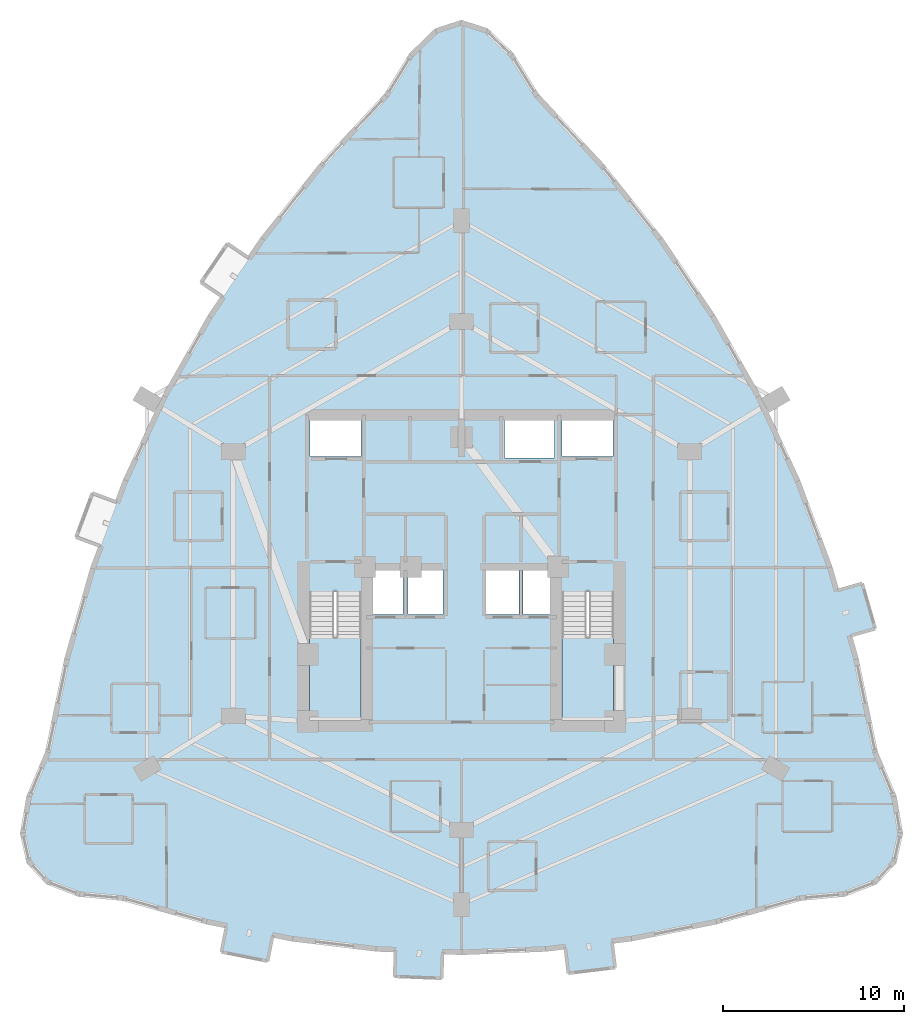
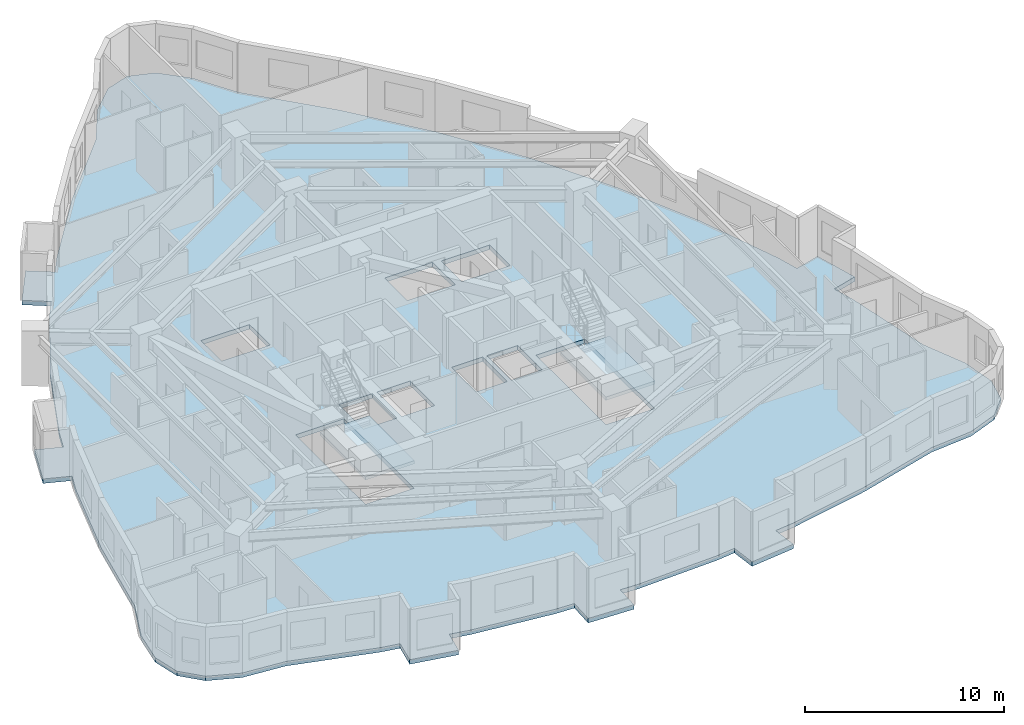
# One storey, part 3 of 13: 3 slabs, 2 elements without a shape of their own.
"""IFC4 building model written with IfcOpenShell, lengths in metres."""

import ifcopenshell
import ifcopenshell.guid

model = None  # the IFC model being written
_history = None  # IfcOwnerHistory: only IFC2X3 demands one
_inside = {}  # id of a spatial element -> (the spatial element, [elements in it])
_under = {}  # id of a project, library or spatial element -> (it, [spatial elements below it])
_declared = {}  # id of a project -> (the project, [libraries it declares])
_typed = {}  # id of a type object -> (the type object, [elements of that type])
_made_of = {}  # id of a material, layer set ... -> (it, [elements and type objects made of it])


def new_model(schema):
    """Start an empty IFC model of exactly this schema.

    Asked for "IFC4X3", IfcOpenShell would pick the latest addendum, in which some entities
    have other attributes; the version numbers below select the first issue.
    IFC2X3 requires an IfcOwnerHistory on every rooted entity: one is made here for all.
    """
    global model, _history
    if schema == "IFC4X3":
        model = ifcopenshell.file(schema_version=(4, 3, 0, 0))
    else:
        model = ifcopenshell.file(schema=schema)
    _inside.clear()
    _under.clear()
    _declared.clear()
    _typed.clear()
    _made_of.clear()
    _history = None
    if model.schema == "IFC2X3":
        org = make("IfcOrganization", Name="unknown")
        user = make(
            "IfcPersonAndOrganization",
            ThePerson=make("IfcPerson", FamilyName="unknown"),
            TheOrganization=org,
        )
        app = make(
            "IfcApplication",
            ApplicationDeveloper=org,
            Version="unknown",
            ApplicationFullName="unknown",
            ApplicationIdentifier="unknown",
        )
        _history = make(
            "IfcOwnerHistory",
            OwningUser=user,
            OwningApplication=app,
            ChangeAction="ADDED",
            CreationDate=0,
        )
    return model


def make(cls, **values):
    """One entity of the class cls with the attributes given. An attribute that is None is left unset."""
    return model.create_entity(
        cls, **{name: value for name, value in values.items() if value is not None}
    )


def rooted(cls, **values):
    """An entity with a GlobalId (a new one), such as an element, a storey or a relation."""
    return make(cls, GlobalId=ifcopenshell.guid.new(), OwnerHistory=_history, **values)


def si_unit(unit_type, name, prefix=None):
    """IfcSIUnit, for example si_unit("LENGTHUNIT", "METRE", prefix="MILLI")."""
    return make("IfcSIUnit", UnitType=unit_type, Prefix=prefix, Name=name)


def assignment(units):
    """IfcUnitAssignment: the units of a project."""
    return None if units is None else make("IfcUnitAssignment", Units=units)


def point(xyz):
    """IfcCartesianPoint."""
    return None if xyz is None else make("IfcCartesianPoint", Coordinates=xyz)


def direction(xyz):
    """IfcDirection."""
    return None if xyz is None else make("IfcDirection", DirectionRatios=xyz)


def frame(location, z_axis=None, x_axis=None):
    """IfcAxis2Placement3D, a coordinate frame: its origin and axes. An axis left out is left unset."""
    return make(
        "IfcAxis2Placement3D",
        Location=point(location),
        Axis=direction(z_axis),
        RefDirection=direction(x_axis),
    )


def origin():
    """The frame at (0, 0, 0) with its axes left unset."""
    return frame((0.0, 0.0, 0.0))


def place(relative_to, where):
    """IfcLocalPlacement: puts the frame where relative to a parent placement (None: the world)."""
    return make(
        "IfcLocalPlacement", PlacementRelTo=relative_to, RelativePlacement=where
    )


def context(
    kind, dimensions, precision=None, world=None, true_north=None, identifier=None
):
    """IfcGeometricRepresentationContext, for example the 3D "Model" context."""
    return make(
        "IfcGeometricRepresentationContext",
        ContextIdentifier=identifier,
        ContextType=kind,
        CoordinateSpaceDimension=dimensions,
        Precision=precision,
        WorldCoordinateSystem=world,
        TrueNorth=true_north,
    )


def subcontext(parent, identifier, kind, view, scale=None):
    """IfcGeometricRepresentationSubContext, for example "Body" below "Model"."""
    return make(
        "IfcGeometricRepresentationSubContext",
        ContextIdentifier=identifier,
        ContextType=kind,
        ParentContext=parent,
        TargetScale=scale,
        TargetView=view,
    )


def project(units=None, contexts=None):
    """IfcProject with its units and contexts."""
    return rooted(
        "IfcProject",
        Name="project",
        RepresentationContexts=contexts,
        UnitsInContext=assignment(units),
    )


def spatial(cls, under=None, at=None, **own):
    """A site, building, storey or space (cls), placed at a placement, below another one or the project."""
    s = rooted(cls, ObjectPlacement=at, **own)
    if under is not None:
        _under.setdefault(under.id(), (under, []))[1].append(s)
    return s


def polyline(points):
    """IfcPolyline through the points."""
    return make("IfcPolyline", Points=[point(p) for p in points])


def outline(outer, holes=None, kind="AREA"):
    """IfcArbitraryClosedProfileDef: a profile drawn as a closed curve; with holes, ...WithVoids."""
    if holes is None:
        return make("IfcArbitraryClosedProfileDef", ProfileType=kind, OuterCurve=outer)
    return make(
        "IfcArbitraryProfileDefWithVoids",
        ProfileType=kind,
        OuterCurve=outer,
        InnerCurves=holes,
    )


def extrude(swept, where, along, depth):
    """IfcExtrudedAreaSolid: the profile swept, set in the frame where, extruded along a direction by depth."""
    return make(
        "IfcExtrudedAreaSolid",
        SweptArea=swept,
        Position=where,
        ExtrudedDirection=direction(along),
        Depth=depth,
    )


def shape(context_of_items, identifier, shape_type, items):
    """IfcShapeRepresentation: the items that make up one representation, for example the "Body"."""
    return make(
        "IfcShapeRepresentation",
        ContextOfItems=context_of_items,
        RepresentationIdentifier=identifier,
        RepresentationType=shape_type,
        Items=items,
    )


def material(Name=None, Category=None):
    """IfcMaterial."""
    return make("IfcMaterial", Name=Name, Category=Category)


def layer(
    of_material, thickness, ventilated=None, Name=None, Category=None, Priority=None
):
    """IfcMaterialLayer: one layer of a wall or slab, of a material (None: an air gap)."""
    return make(
        "IfcMaterialLayer",
        Material=of_material,
        LayerThickness=thickness,
        IsVentilated=ventilated,
        Name=Name,
        Category=Category,
        Priority=Priority,
    )


def layer_set(layers, Name=None):
    """IfcMaterialLayerSet."""
    return make("IfcMaterialLayerSet", MaterialLayers=layers, LayerSetName=Name)


def made_of(thing, what):
    """Note that an element or type object is made of a material, layer set ...; save() writes the relation."""
    if what is not None:
        _made_of.setdefault(what.id(), (what, []))[1].append(thing)
    return thing


def type_object(cls, material=None, **own):
    """A type object (cls), such as IfcWallType, which elements share."""
    return made_of(rooted(cls, **own), material)


def element(
    cls,
    number,
    at=None,
    inside=None,
    cuts=None,
    type_object=None,
    material=None,
    context=None,
    identifier="Body",
    shape_type=None,
    held_by="IfcProductDefinitionShape",
    body=None,
    shapes=None,
    **own,
):
    """One element of the class cls, such as IfcWall. Its Tag is "e" and its number.

    at: its placement. inside: the storey or other place that contains it. cuts: it is an
    opening in that element (IfcRelVoidsElement). A single representation is given by context,
    identifier, shape_type and body (its items); several are given by shapes. held_by: the class
    of the entity that holds the representations. save() writes the other relations.
    """
    e = rooted(cls, Tag="e%d" % number, ObjectPlacement=at, **own)
    if body is not None:
        shapes = [shape(context, identifier, shape_type, body)]
    if shapes is not None:
        e.Representation = make(held_by, Representations=shapes)
    if inside is not None:
        _inside.setdefault(inside.id(), (inside, []))[1].append(e)
    if cuts is not None:
        rooted(
            "IfcRelVoidsElement", RelatingBuildingElement=cuts, RelatedOpeningElement=e
        )
    if type_object is not None:
        _typed.setdefault(type_object.id(), (type_object, []))[1].append(e)
    return made_of(e, material)


def aggregate(whole, parts):
    """IfcRelAggregates: a whole, such as a stair, and the parts it consists of."""
    return rooted("IfcRelAggregates", RelatingObject=whole, RelatedObjects=parts)


def save(model, path):
    """Write the relations noted so far, then the file.

    IfcRelAggregates (storeys below a building ...), IfcRelContainedInSpatialStructure (elements
    in a storey), IfcRelDefinesByType, IfcRelAssociatesMaterial and IfcRelDeclares: one each for
    every whole, place, type object, material and project.
    """
    for whole, parts in _under.values():
        aggregate(whole, parts)
    for where, things in _inside.values():
        rooted(
            "IfcRelContainedInSpatialStructure",
            RelatedElements=things,
            RelatingStructure=where,
        )
    for kind, things in _typed.values():
        rooted("IfcRelDefinesByType", RelatedObjects=things, RelatingType=kind)
    for what, things in _made_of.values():
        rooted("IfcRelAssociatesMaterial", RelatedObjects=things, RelatingMaterial=what)
    for by, libraries in _declared.values():
        rooted("IfcRelDeclares", RelatingContext=by, RelatedDefinitions=libraries)
    model.write(path)


model = new_model("IFC4")

# Units and contexts
model_context = context("Model", 3, precision=1e-05, world=origin(), true_north=direction((0.0, 1.0)))
body_context = subcontext(model_context, "Body", "Model", "MODEL_VIEW")
ifc_project = project(units=[si_unit("LENGTHUNIT", "METRE"), si_unit("AREAUNIT", "SQUARE_METRE"), si_unit("VOLUMEUNIT", "CUBIC_METRE"), si_unit("PLANEANGLEUNIT", "RADIAN"), si_unit("MASSUNIT", "GRAM", prefix="KILO")], contexts=[model_context])

# Site, building, storey
site_placement = place(None, origin())
site = spatial("IfcSite", under=ifc_project, at=site_placement, CompositionType="ELEMENT")
building_placement = place(site_placement, origin())
building = spatial("IfcBuilding", under=site, at=building_placement, Name="Miruveldt Soraemaru", CompositionType="ELEMENT")
storey_placement = place(building_placement, frame((0.0, 0.0, 76.800048828125)))
storey = spatial("IfcBuildingStorey", under=building, at=storey_placement, Name="L21", CompositionType="ELEMENT", Elevation=76.800048828125)

# Stair, slab
ifc_material = material(Name="Concrete C40/50 (40 MPa)", Category="concrete")
stair_type = type_object("IfcStairType", Name="STAIR-DL-340", PredefinedType="HALF_TURN_STAIR", material=ifc_material)
stair_1_placement = place(storey_placement, origin())
stair_1 = element("IfcStair", 1, at=stair_1_placement, inside=storey, type_object=stair_type, Name="L21 Protected Exit Stair ST-1", PredefinedType="HALF_TURN_STAIR")
ifc_layer_1 = layer(ifc_material, 0.199951171875, Name="Concrete C40/50 (40 MPa)", Category="concrete")
ifc_layer_set_1 = layer_set([ifc_layer_1], Name="Concrete C40/50 (40 MPa)")
slab_type_1 = type_object("IfcSlabType", Name="SLAB-LAND-200", PredefinedType="LANDING", material=ifc_layer_set_1)
slab_1_placement = place(storey_placement, frame((0.0, 0.0, 1.5)))
slab_1 = element("IfcSlab", 2, at=slab_1_placement, type_object=slab_type_1, Name="ST-1 landing 1", PredefinedType="LANDING", context=body_context, shape_type="SweptSolid", body=[
    extrude(outline(polyline([(35.60009765625, 40.197998046875), (35.60009765625, 35.64990234375), (38.449951171875, 35.64990234375), (38.449951171875, 40.197998046875), (35.60009765625, 40.197998046875)])), origin(), (0.0, 0.0, 1.0), 0.199951171875),
])
aggregate(stair_1, [slab_1])

stair_2_placement = place(storey_placement, origin())
stair_2 = element("IfcStair", 3, at=stair_2_placement, inside=storey, type_object=stair_type, Name="L21 Protected Exit Stair ST-2", PredefinedType="HALF_TURN_STAIR")
slab_2_placement = place(storey_placement, frame((0.0, 0.0, 1.5)))
slab_2 = element("IfcSlab", 4, at=slab_2_placement, type_object=slab_type_1, Name="ST-2 landing 1", PredefinedType="LANDING", context=body_context, shape_type="SweptSolid", body=[
    extrude(outline(polyline([(49.550048828125, 40.197998046875), (49.550048828125, 35.64990234375), (52.39990234375, 35.64990234375), (52.39990234375, 40.197998046875), (49.550048828125, 40.197998046875)])), origin(), (0.0, 0.0, 1.0), 0.199951171875),
])
aggregate(stair_2, [slab_2])

# Slab
ifc_layer_2 = layer(ifc_material, 0.27490234375, Name="Concrete C40/50 (40 MPa)", Category="concrete")
ifc_layer_set_2 = layer_set([ifc_layer_2], Name="Concrete C40/50 (40 MPa)")
slab_type_2 = type_object("IfcSlabType", Name="SLAB-RES1-275", PredefinedType="FLOOR", material=ifc_layer_set_2)
slab_3_placement = place(storey_placement, frame((0.0, 0.0, -0.275146484375)))
element("IfcSlab", 5, at=slab_3_placement, inside=storey, type_object=slab_type_2, Name="L21 Structural Floor Slab", PredefinedType="FLOOR", context=body_context, shape_type="SweptSolid", body=[
    extrude(outline(polyline([(22.69970703125, 45.681640625), (23.607421875, 48.117919921875), (24.994140625, 47.601318359375), (25.43798828125, 48.793212890625), (27.596435546875, 53.426025390625), (30.117919921875, 57.871826171875), (31.560302734375, 60.0009765625), (30.831298828125, 58.9248046875), (29.60595703125, 59.754638671875), (31.064208984375, 61.9072265625), (32.289306640625, 61.077392578125), (33.002685546875, 62.130126953125), (36.25048828125, 66.201416015625), (39.861328125, 70.085693359375), (41.240966796875, 72.315673828125), (42.62060546875, 73.65380859375), (44.0, 74.099853515625), (45.37939453125, 73.65380859375), (46.759033203125, 72.315673828125), (48.138671875, 70.085693359375), (51.74951171875, 66.201416015625), (54.997314453125, 62.130126953125), (57.882080078125, 57.871826171875), (60.403564453125, 53.426025390625), (62.56201171875, 48.793212890625), (64.357177734375, 43.97314453125), (64.7158203125, 42.719482421875), (66.138671875, 43.12646484375), (66.853515625, 40.626708984375), (65.4306640625, 40.2197265625), (65.789306640625, 38.9658203125), (66.858154296875, 33.771484375), (67.892822265625, 31.318359375), (68.23779296875, 29.311279296875), (67.892822265625, 27.75), (66.858154296875, 26.635009765625), (65.1337890625, 25.966064453125), (62.719482421875, 25.742919921875), (58.039794921875, 24.4326171875), (53.35986328125, 23.49658203125), (52.310546875, 23.37060546875), (52.48681640625, 21.901123046875), (49.905517578125, 21.59130859375), (49.72900390625, 23.060791015625), (51.019775390625, 23.2158203125), (48.679931640625, 22.93505859375), (44.0, 22.747802734375), (41.66015625, 22.84130859375), (42.958984375, 22.789306640625), (42.89990234375, 21.310546875), (40.302001953125, 21.41455078125), (40.361083984375, 22.893310546875), (39.320068359375, 22.93505859375), (34.64013671875, 23.49658203125), (32.30029296875, 23.964599609375), (33.574951171875, 23.709716796875), (33.28466796875, 22.25830078125), (30.735107421875, 22.768310546875), (31.025390625, 24.219482421875), (29.960205078125, 24.4326171875), (25.280517578125, 25.742919921875), (22.8662109375, 25.966064453125), (21.141845703125, 26.635009765625), (20.107177734375, 27.75), (19.76220703125, 29.311279296875), (20.107177734375, 31.318359375), (21.141845703125, 33.771484375), (22.210693359375, 38.9658203125), (23.642822265625, 43.97314453125), (24.086669921875, 45.1650390625), (22.69970703125, 45.681640625)]), holes=[polyline([(35.614990234375, 35.6650390625), (38.43505859375, 35.6650390625), (38.43505859375, 42.68505859375), (35.614990234375, 42.68505859375), (35.614990234375, 35.6650390625)]), polyline([(49.56494140625, 35.6650390625), (52.385009765625, 35.6650390625), (52.385009765625, 42.68505859375), (49.56494140625, 42.68505859375), (49.56494140625, 35.6650390625)]), polyline([(40.764892578125, 41.4150390625), (40.764892578125, 43.885009765625), (38.81494140625, 43.885009765625), (38.81494140625, 41.4150390625), (40.764892578125, 41.4150390625)]), polyline([(42.965087890625, 41.4150390625), (42.965087890625, 43.885009765625), (41.034912109375, 43.885009765625), (41.034912109375, 41.4150390625), (42.965087890625, 41.4150390625)]), polyline([(47.1650390625, 41.4150390625), (47.1650390625, 43.885009765625), (45.364990234375, 43.885009765625), (45.364990234375, 41.4150390625), (47.1650390625, 41.4150390625)]), polyline([(49.18505859375, 41.4150390625), (49.18505859375, 43.885009765625), (47.39501953125, 43.885009765625), (47.39501953125, 41.4150390625), (49.18505859375, 41.4150390625)]), polyline([(38.445068359375, 50.135009765625), (38.445068359375, 52.205078125), (35.635009765625, 52.205078125), (35.635009765625, 50.135009765625), (38.445068359375, 50.135009765625)]), polyline([(49.554931640625, 50.135009765625), (52.364990234375, 50.135009765625), (52.364990234375, 52.205078125), (49.554931640625, 52.205078125), (49.554931640625, 50.135009765625)]), polyline([(46.364990234375, 50.06494140625), (49.135009765625, 50.06494140625), (49.135009765625, 52.3349609375), (46.364990234375, 52.3349609375), (46.364990234375, 50.06494140625)])]), origin(), (0.0, 0.0, 1.0), 0.275146484375),
])

save(model, "model.ifc")
